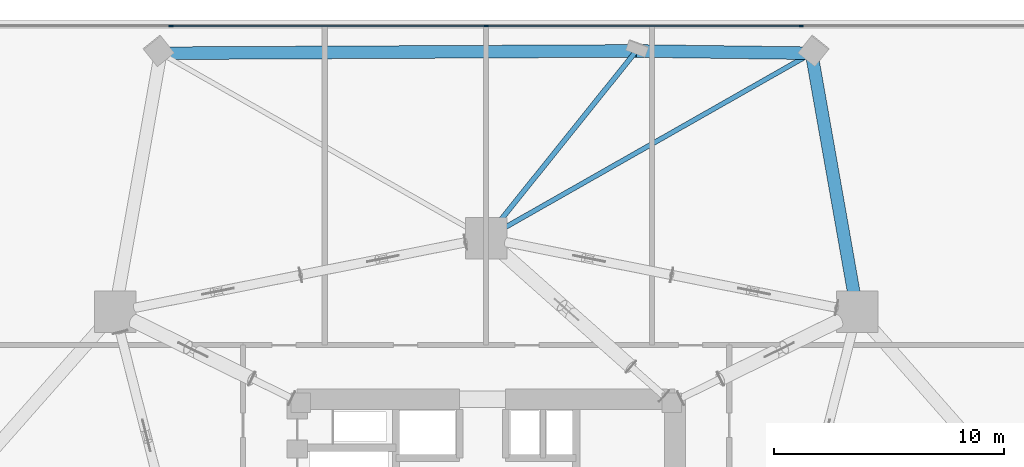
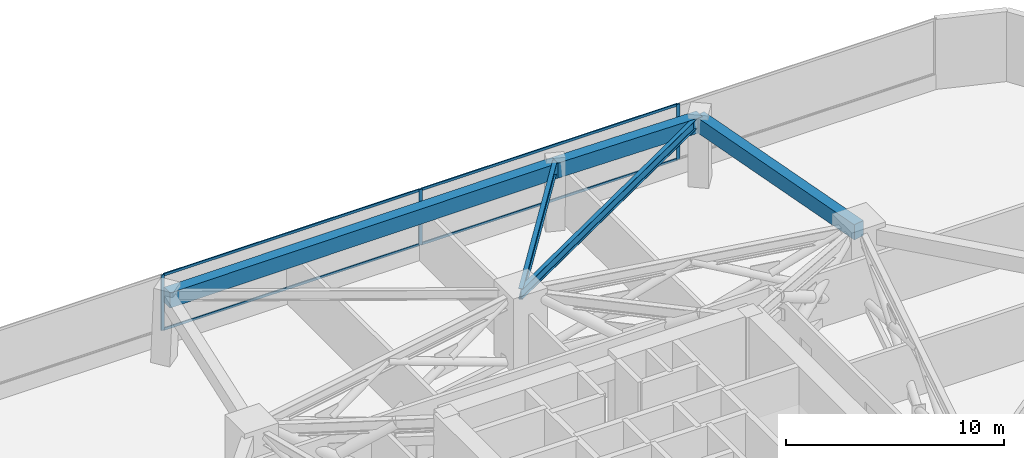
# One storey, part 13 of 20: 7 members, 5 beams, 1 element without a shape of its own.
"""IFC4 building model written with IfcOpenShell, lengths in metres."""

from ifc_helpers import new_model, si_unit, direction, frame, origin, origin_2d, place, context, subcontext, project, spatial, rectangle, i_section, extrude, material, layer, layer_set, material_profile, profile_set, type_object, element, aggregate, save


model = new_model("IFC4")

# Units and contexts
model_context = context("Model", 3, precision=1e-05, world=origin(), true_north=direction((0.0, 1.0)))
body_context = subcontext(model_context, "Body", "Model", "MODEL_VIEW")
ifc_project = project(units=[si_unit("LENGTHUNIT", "METRE"), si_unit("AREAUNIT", "SQUARE_METRE"), si_unit("VOLUMEUNIT", "CUBIC_METRE"), si_unit("PLANEANGLEUNIT", "RADIAN"), si_unit("MASSUNIT", "GRAM", prefix="KILO")], contexts=[model_context])

# Site, building, storey
site_placement = place(None, origin())
site = spatial("IfcSite", under=ifc_project, at=site_placement, CompositionType="ELEMENT")
building_placement = place(site_placement, origin())
building = spatial("IfcBuilding", under=site, at=building_placement, Name="Talyreon Biosciences Tower", CompositionType="ELEMENT")
storey_placement = place(building_placement, frame((0.0, 0.0, 70.800048828125)))
storey = spatial("IfcBuildingStorey", under=building, at=storey_placement, Name="L18", CompositionType="ELEMENT", Elevation=70.800048828125)

# Curtain wall, members
ifc_material_1 = material(Name="Thermally broken aluminium and low-E glazing", Category="aluminium")
ifc_layer = layer(ifc_material_1, 0.195068359375)
ifc_layer_set = layer_set([ifc_layer], Name="Thermally broken aluminium and low-E glazing")
curtain_wall_type = type_object("IfcCurtainWallType", Name="CurtainWall_Zone1WetLab", PredefinedType="NOTDEFINED", material=ifc_layer_set)
curtain_wall_placement = place(storey_placement, origin())
curtain_wall = element("IfcCurtainWall", 1, at=curtain_wall_placement, inside=storey, type_object=curtain_wall_type, Name="L18 Unitised Curtain Wall FCW-L18-04", PredefinedType="NOTDEFINED")
ifc_material_2 = material(Name="Anodised thermally broken aluminium", Category="aluminium")
ifc_material_profile_1 = material_profile(ifc_material_2, rectangle(XDim=0.06494140625, YDim=0.179931640625, at=origin_2d()), Name="ALUM MULLION 65x180")
ifc_profile_set_1 = profile_set([ifc_material_profile_1], Name="Anodised thermally broken aluminium")
member_type_1 = type_object("IfcMemberType", Name="CWMullion_65x180", PredefinedType="MULLION", material=ifc_profile_set_1)
member_1_placement = place(storey_placement, frame((52.324951171875, 91.007080078125, 0.81005859375), z_axis=(0.0, 0.0, 1.0), x_axis=(0.0, 1.0, 0.0)))
member_1 = element("IfcMember", 2, at=member_1_placement, type_object=member_type_1, Name="CW2 mullion 2", PredefinedType="MULLION", context=body_context, shape_type="SweptSolid", body=[
    extrude(rectangle(XDim=0.06494140625, YDim=0.179931640625, at=origin_2d()), origin(), (0.0, 0.0, 1.0), 3.114990234375),
])
member_2_placement = place(storey_placement, frame((66.0, 91.007080078125, 0.81005859375), z_axis=(0.0, 0.0, 1.0), x_axis=(0.0, 1.0, 0.0)))
member_2 = element("IfcMember", 3, at=member_2_placement, type_object=member_type_1, Name="CW2 mullion 3", PredefinedType="MULLION", context=body_context, shape_type="SweptSolid", body=[
    extrude(rectangle(XDim=0.06494140625, YDim=0.179931640625, at=origin_2d()), origin(), (0.0, 0.0, 1.0), 3.114990234375),
])
member_3_placement = place(storey_placement, frame((79.675048828125, 91.007080078125, 0.81005859375), z_axis=(0.0, 0.0, 1.0), x_axis=(0.0, 1.0, 0.0)))
member_3 = element("IfcMember", 4, at=member_3_placement, type_object=member_type_1, Name="CW2 mullion 4", PredefinedType="MULLION", context=body_context, shape_type="SweptSolid", body=[
    extrude(rectangle(XDim=0.06494140625, YDim=0.179931640625, at=origin_2d()), origin(), (0.0, 0.0, 1.0), 3.114990234375),
])
ifc_material_profile_2 = material_profile(ifc_material_2, rectangle(XDim=0.06494140625, YDim=0.139892578125, at=origin_2d()), Name="ALUM TRANSOM 65x140")
ifc_profile_set_2 = profile_set([ifc_material_profile_2], Name="Anodised thermally broken aluminium")
member_type_2 = type_object("IfcMemberType", Name="CWTransom_65x140", PredefinedType="USERDEFINED", material=ifc_profile_set_2)
member_4_placement = place(storey_placement, frame((52.357421875, 91.007080078125, 0.842529296875), z_axis=(1.0, 0.0, 0.0), x_axis=(0.0, 1.0, 0.0)))
member_4 = element("IfcMember", 5, at=member_4_placement, type_object=member_type_2, Name="CW2 transom 2.1", ObjectType="TRANSOM", PredefinedType="USERDEFINED", context=body_context, shape_type="SweptSolid", body=[
    extrude(rectangle(XDim=0.06494140625, YDim=0.139892578125, at=origin_2d()), origin(), (0.0, 0.0, 1.0), 13.610107421875),
])
member_5_placement = place(storey_placement, frame((52.357421875, 91.007080078125, 3.892333984375), z_axis=(1.0, 0.0, 0.0), x_axis=(0.0, 1.0, 0.0)))
member_5 = element("IfcMember", 6, at=member_5_placement, type_object=member_type_2, Name="CW2 transom 2.2", ObjectType="TRANSOM", PredefinedType="USERDEFINED", context=body_context, shape_type="SweptSolid", body=[
    extrude(rectangle(XDim=0.06494140625, YDim=0.139892578125, at=origin_2d()), origin(), (0.0, 0.0, 1.0), 13.610107421875),
])
member_6_placement = place(storey_placement, frame((66.032470703125, 91.007080078125, 0.842529296875), z_axis=(1.0, 0.0, 0.0), x_axis=(0.0, 1.0, 0.0)))
member_6 = element("IfcMember", 7, at=member_6_placement, type_object=member_type_2, Name="CW2 transom 3.1", ObjectType="TRANSOM", PredefinedType="USERDEFINED", context=body_context, shape_type="SweptSolid", body=[
    extrude(rectangle(XDim=0.06494140625, YDim=0.139892578125, at=origin_2d()), origin(), (0.0, 0.0, 1.0), 13.610107421875),
])
member_7_placement = place(storey_placement, frame((66.032470703125, 91.007080078125, 3.892333984375), z_axis=(1.0, 0.0, 0.0), x_axis=(0.0, 1.0, 0.0)))
member_7 = element("IfcMember", 8, at=member_7_placement, type_object=member_type_2, Name="CW2 transom 3.2", ObjectType="TRANSOM", PredefinedType="USERDEFINED", context=body_context, shape_type="SweptSolid", body=[
    extrude(rectangle(XDim=0.06494140625, YDim=0.139892578125, at=origin_2d()), origin(), (0.0, 0.0, 1.0), 13.610107421875),
])
aggregate(curtain_wall, [member_1, member_2, member_3, member_4, member_5, member_6, member_7])

# Beams
ifc_material_3 = material(Name="Precast concrete C45/55", Category="concrete")
ifc_material_profile_3 = material_profile(ifc_material_3, rectangle(XDim=0.550048828125, YDim=0.85009765625, at=origin_2d()), Name="RCB 550x850")
ifc_profile_set_3 = profile_set([ifc_material_profile_3], Name="Precast concrete C45/55")
beam_type_1 = type_object("IfcBeamType", Name="ExpressedSpandrel_550x850", PredefinedType="SPANDREL", material=ifc_profile_set_3)
beam_1_placement = place(storey_placement, frame((82.102294921875, 78.5986328125, 3.5), z_axis=(-0.173697286663, 0.984799092509, 0.0), x_axis=(-0.984799092509, -0.173697286663, 0.0)))
element("IfcBeam", 9, at=beam_1_placement, inside=storey, type_object=beam_type_1, Name="L18 Expressed Horizontal Concrete Spandrel 05", PredefinedType="SPANDREL", context=body_context, shape_type="SweptSolid", body=[
    extrude(rectangle(XDim=0.550048828125, YDim=0.85009765625, at=origin_2d()), origin(), (0.0, 0.0, 1.0), 11.38916015625),
])
beam_2_placement = place(storey_placement, frame((80.1240234375, 89.814697265625, 3.5), z_axis=(-0.999913396128, 0.0131605564, 0.0), x_axis=(-0.0131605564, -0.999913396128, 0.0)))
element("IfcBeam", 10, at=beam_2_placement, inside=storey, type_object=beam_type_1, Name="L18 Expressed Horizontal Concrete Spandrel 06", PredefinedType="SPANDREL", context=body_context, shape_type="SweptSolid", body=[
    extrude(rectangle(XDim=0.550048828125, YDim=0.85009765625, at=origin_2d()), origin(), (0.0, 0.0, 1.0), 7.60595703125),
])
beam_3_placement = place(storey_placement, frame((72.518798828125, 89.914794921875, 3.5), z_axis=(-0.999988243663, -0.004848972596, 0.0), x_axis=(0.004848972596, -0.999988243663, 0.0)))
element("IfcBeam", 11, at=beam_3_placement, inside=storey, type_object=beam_type_1, Name="L18 Expressed Horizontal Concrete Spandrel 07", PredefinedType="SPANDREL", context=body_context, shape_type="SweptSolid", body=[
    extrude(rectangle(XDim=0.550048828125, YDim=0.85009765625, at=origin_2d()), origin(), (0.0, 0.0, 1.0), 20.64306640625),
])
ifc_material_4 = material(Name="Steel SM355", Category="steel")
ifc_material_profile_4 = material_profile(ifc_material_4, i_section(OverallWidth=0.2099609375, OverallDepth=0.550048828125, WebThickness=0.010986328125, FlangeThickness=0.01708984375, FilletRadius=0.02392578125, at=origin_2d()), Name="IPE550")
ifc_profile_set_4 = profile_set([ifc_material_profile_4], Name="Steel SM355")
beam_type_2 = type_object("IfcBeamType", Name="SteelJoist_IPE550", PredefinedType="JOIST", material=ifc_profile_set_4)
beam_4_placement = place(storey_placement, frame((66.0, 81.788818359375, 3.64990234375), z_axis=(0.86943367029, 0.494049686737, 0.0), x_axis=(-0.494049686737, 0.86943367029, 0.0)))
element("IfcBeam", 12, at=beam_4_placement, inside=storey, type_object=beam_type_2, Name="L18 Radial Composite Floor Joist PC-N1", PredefinedType="JOIST", context=body_context, shape_type="SweptSolid", body=[
    extrude(i_section(OverallWidth=0.2099609375, OverallDepth=0.550048828125, WebThickness=0.010986328125, FlangeThickness=0.01708984375, FilletRadius=0.02392578125, at=origin_2d()), origin(), (0.0, 0.0, 1.0), 16.2451171875),
])
ifc_material_profile_5 = material_profile(ifc_material_4, i_section(OverallWidth=0.219970703125, OverallDepth=0.60009765625, WebThickness=0.011962890625, FlangeThickness=0.01904296875, FilletRadius=0.02392578125, at=origin_2d()), Name="IPE600")
ifc_profile_set_5 = profile_set([ifc_material_profile_5], Name="Steel SM355")
beam_type_3 = type_object("IfcBeamType", Name="SteelJoist_IPE600", PredefinedType="JOIST", material=ifc_profile_set_5)
beam_5_placement = place(storey_placement, frame((66.0, 81.788818359375, 3.625), z_axis=(0.625749071615, 0.780024422293, 0.0), x_axis=(-0.780024422293, 0.625749071615, 0.0)))
element("IfcBeam", 13, at=beam_5_placement, inside=storey, type_object=beam_type_3, Name="L18 Radial Composite Floor Joist PL-N", PredefinedType="JOIST", context=body_context, shape_type="SweptSolid", body=[
    extrude(i_section(OverallWidth=0.219970703125, OverallDepth=0.60009765625, WebThickness=0.011962890625, FlangeThickness=0.01904296875, FilletRadius=0.02392578125, at=origin_2d()), origin(), (0.0, 0.0, 1.0), 10.41748046875),
])

save(model, "model.ifc")
